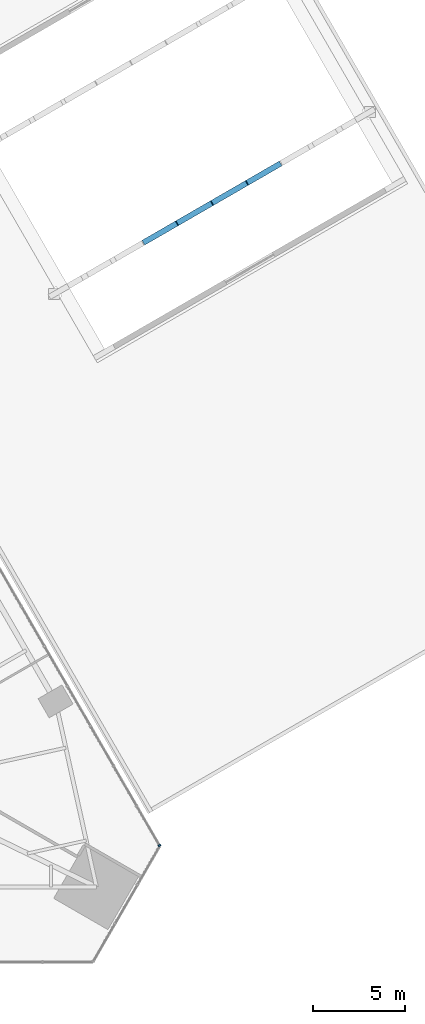
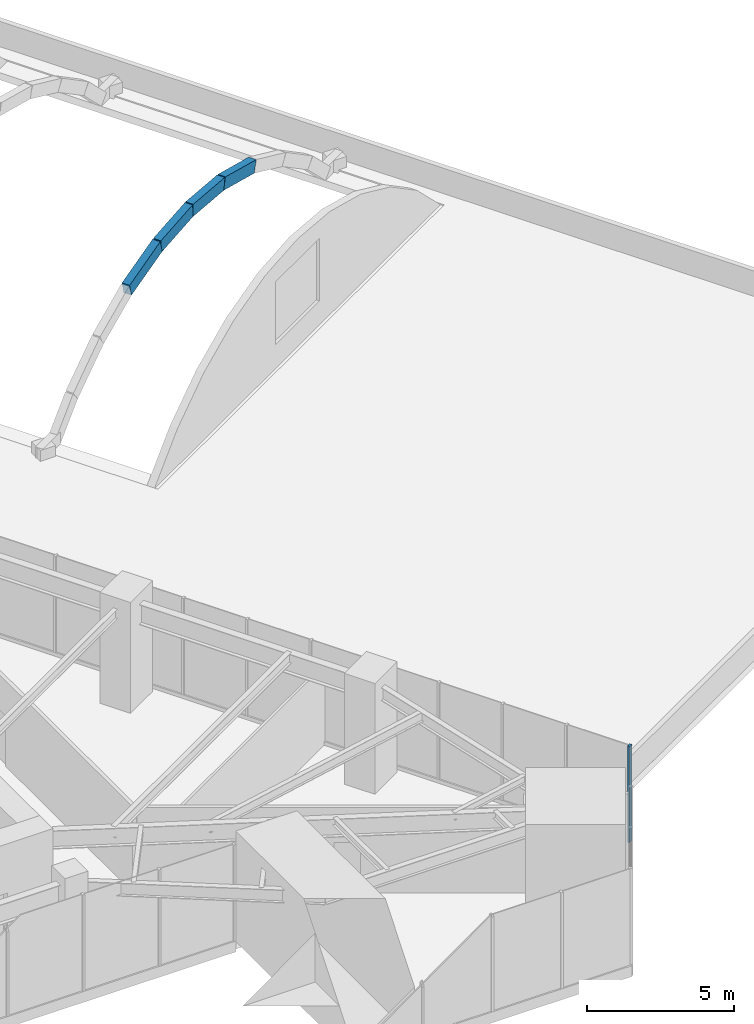
# One storey, part 14 of 23: 5 members, 1 element without a shape of its own.
"""IFC4 building model written with IfcOpenShell, lengths in metres."""

from ifc_helpers import new_model, si_unit, direction, frame, origin, origin_2d, place, context, subcontext, project, spatial, rectangle, extrude, material, layer, layer_set, material_profile, profile_set, type_object, element, aggregate, save


model = new_model("IFC4")

# Units and contexts
model_context = context("Model", 3, precision=1e-05, world=origin(), true_north=direction((0.0, 1.0)))
body_context = subcontext(model_context, "Body", "Model", "MODEL_VIEW")
ifc_project = project(units=[si_unit("LENGTHUNIT", "METRE"), si_unit("AREAUNIT", "SQUARE_METRE"), si_unit("VOLUMEUNIT", "CUBIC_METRE"), si_unit("PLANEANGLEUNIT", "RADIAN"), si_unit("MASSUNIT", "GRAM", prefix="KILO")], contexts=[model_context])

# Site, building, storey
site_placement = place(None, origin())
site = spatial("IfcSite", under=ifc_project, at=site_placement, CompositionType="ELEMENT")
building_placement = place(site_placement, origin())
building = spatial("IfcBuilding", under=site, at=building_placement, Name="Firuza Gate Tower and Library", CompositionType="ELEMENT")
storey_placement = place(building_placement, frame((0.0, 0.0, 26.39990234375)))
storey = spatial("IfcBuildingStorey", under=building, at=storey_placement, Name="L05", CompositionType="ELEMENT", Elevation=26.39990234375)

# Curtain wall, member
ifc_material_1 = material(Name="Aluminium 6063-T6", Category="aluminium")
ifc_layer = layer(ifc_material_1, 0.14990234375)
ifc_layer_set = layer_set([ifc_layer], Name="Stick curtain wall, podium")
curtain_wall_type = type_object("IfcCurtainWallType", Name="Stick curtain wall, podium", PredefinedType="NOTDEFINED", material=ifc_layer_set)
curtain_wall_placement = place(storey_placement, origin())
curtain_wall = element("IfcCurtainWall", 1, at=curtain_wall_placement, inside=storey, type_object=curtain_wall_type, Name="CW5 L05 E", PredefinedType="NOTDEFINED")
ifc_material_2 = material(Name="Aluminium 6063-T6", Category="aluminium")
ifc_material_profile_1 = material_profile(ifc_material_2, rectangle(XDim=0.14990234375, YDim=0.080078125, at=origin_2d()))
ifc_profile_set_1 = profile_set([ifc_material_profile_1], Name="Aluminium 6063-T6")
member_type_1 = type_object("IfcMemberType", Name="Curtain wall mullion 80x150", PredefinedType="MULLION", material=ifc_profile_set_1)
member_placement = place(storey_placement, frame((107.466552734375, 60.4853515625, 0.150146484375), z_axis=(0.0, 0.0, 1.0), x_axis=(-0.866025403784, -0.5, 0.0)))
member = element("IfcMember", 2, at=member_placement, type_object=member_type_1, Name="Mullion", PredefinedType="MULLION", context=body_context, shape_type="SweptSolid", body=[
    extrude(rectangle(XDim=0.14990234375, YDim=0.080078125, at=origin_2d()), origin(), (0.0, 0.0, 1.0), 4.0),
])
aggregate(curtain_wall, [member])

# Members
ifc_material_3 = material(Name="Concrete C40/50", Category="concrete")
ifc_material_profile_2 = material_profile(ifc_material_3, rectangle(XDim=0.300048828125, YDim=0.5, at=origin_2d()))
ifc_profile_set_2 = profile_set([ifc_material_profile_2], Name="Concrete C40/50")
member_type_2 = type_object("IfcMemberType", Name="LIB VAULT RIB 300X500", PredefinedType="USERDEFINED", material=ifc_profile_set_2)
for number, where, z_axis, x_axis, name in (
    (3, (106.64697265625, 93.271484375, 3.486328125), (0.837399691913, 0.483389000405, 0.255140804795), (-0.499934890923, 0.866062991264, 0.0), "Reading hall vault rib 1.4"),
    (4, (108.456298828125, 94.31591796875, 4.03759765625), (0.862809012233, 0.498182940667, 0.085874129033), (-0.500030054618, 0.866008051047, 0.0), "Reading hall vault rib 1.5"),
    (5, (110.320556640625, 95.392333984375, 4.22314453125), (0.862857579056, 0.498097984348, -0.085878962819), (-0.499944992379, 0.86605716012, 0.0), "Reading hall vault rib 1.6"),
    (6, (112.184814453125, 96.468505859375, 4.03759765625), (0.837320181497, 0.483521330179, -0.255151008073), (-0.500073142705, 0.865983170705, 0.0), "Reading hall vault rib 1.7"),
):
    element("IfcMember", number, at=place(storey_placement, frame(where, z_axis=z_axis, x_axis=x_axis)), inside=storey, type_object=member_type_2, Name=name, ObjectType="VAULT RIB", PredefinedType="USERDEFINED", context=body_context, shape_type="SweptSolid", body=[
        extrude(rectangle(XDim=0.300048828125, YDim=0.5, at=origin_2d()), origin(), (0.0, 0.0, 1.0), 2.16064453125),
    ])

save(model, "model.ifc")
